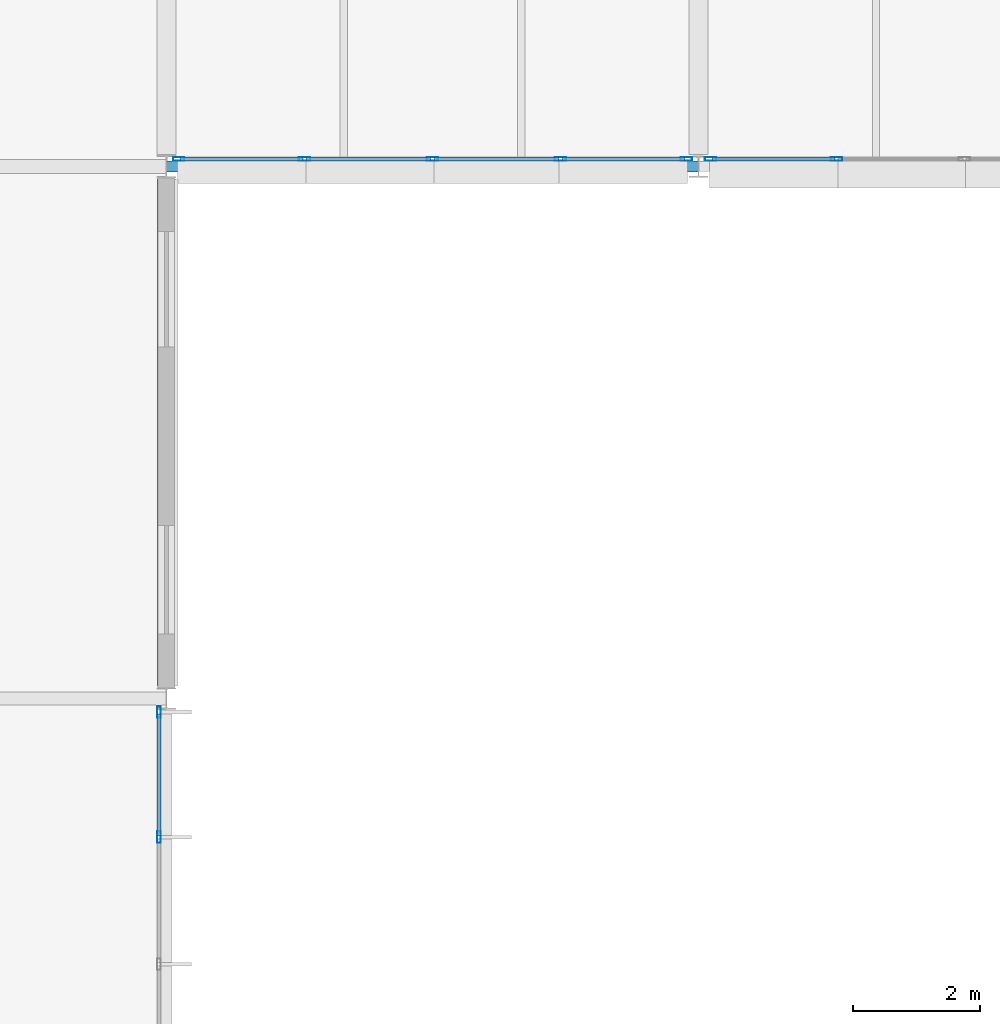
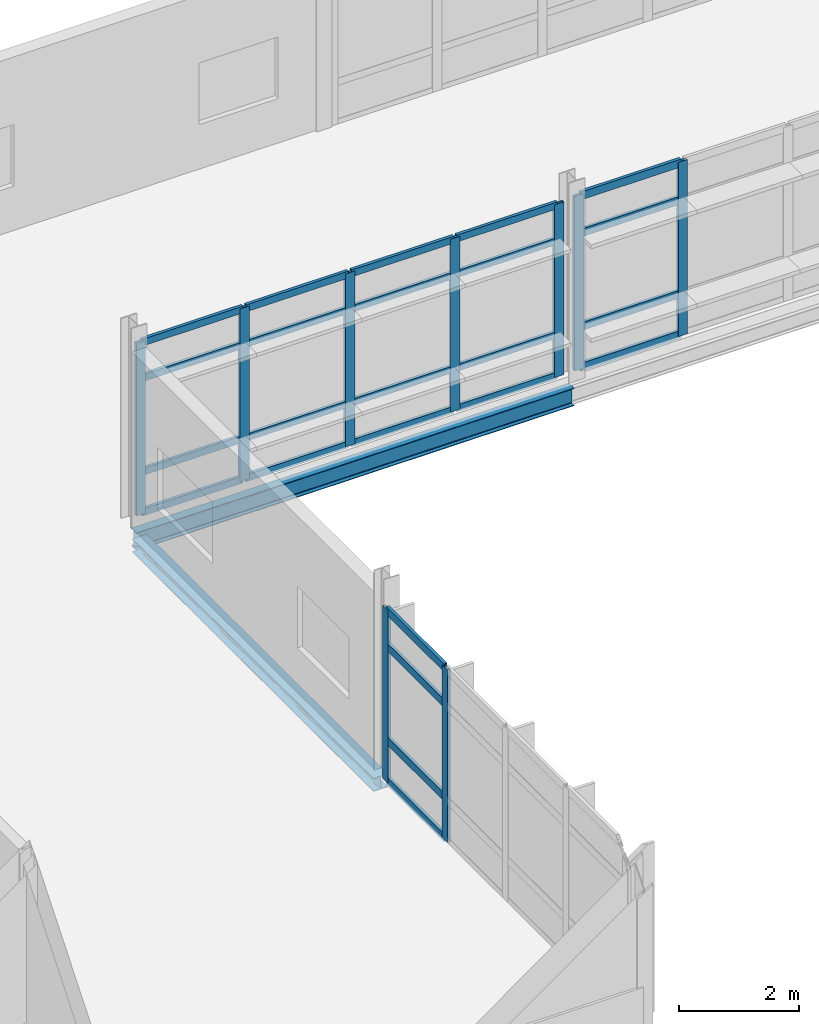
# One storey, part 37 of 131: 33 members, 2 beams, 3 elements without a shape of their own.
"""IFC4 building model written with IfcOpenShell, lengths in metres."""

from ifc_helpers import new_model, si_unit, direction, frame, origin, origin_2d, place, context, subcontext, project, spatial, hollow_rectangle, i_section, extrude, material, material_profile, profile_set, type_object, element, aggregate, save


model = new_model("IFC4")

# Units and contexts
model_context = context("Model", 3, precision=1e-05, world=origin(), true_north=direction((0.0, 1.0)))
body_context = subcontext(model_context, "Body", "Model", "MODEL_VIEW")
ifc_project = project(units=[si_unit("LENGTHUNIT", "METRE"), si_unit("AREAUNIT", "SQUARE_METRE"), si_unit("VOLUMEUNIT", "CUBIC_METRE"), si_unit("PLANEANGLEUNIT", "RADIAN"), si_unit("MASSUNIT", "GRAM", prefix="KILO")], contexts=[model_context])

# Site, building, storey
site_placement = place(None, origin())
site = spatial("IfcSite", under=ifc_project, at=site_placement, CompositionType="ELEMENT")
building_placement = place(site_placement, origin())
building = spatial("IfcBuilding", under=site, at=building_placement, Name="Mersafa Astral City Hall", CompositionType="ELEMENT")
storey_placement = place(building_placement, frame((0.0, 0.0, 13.949951171875)))
storey = spatial("IfcBuildingStorey", under=building, at=storey_placement, Name="L03", CompositionType="ELEMENT", Elevation=13.949951171875)

# Curtain wall, members
ifc_material_1 = material(Name="Anodised bronze aluminium framing", Category="aluminium")
curtain_wall_type_1 = type_object("IfcCurtainWallType", Name="ENV-CW-1", PredefinedType="USERDEFINED", material=ifc_material_1)
curtain_wall_1_placement = place(storey_placement, origin())
curtain_wall_1 = element("IfcCurtainWall", 1, at=curtain_wall_1_placement, inside=storey, type_object=curtain_wall_type_1, Name="L03 Unitised solar curtain wall 174", ObjectType="UNITISED CURTAIN WALL", PredefinedType="USERDEFINED")
ifc_material_profile_1 = material_profile(ifc_material_1, hollow_rectangle(XDim=0.06005859375, YDim=0.179931640625, WallThickness=0.00390625, at=origin_2d()), Name="RHS 60x180x4")
ifc_profile_set_1 = profile_set([ifc_material_profile_1], Name="Anodised bronze aluminium framing")
member_type_1 = type_object("IfcMemberType", Name="ENV-CW-MUL-1", PredefinedType="MULLION", material=ifc_profile_set_1)
member_1_placement = place(storey_placement, frame((25.080078125, 81.8115234375, -0.001953125), z_axis=(0.0, 0.0, 1.0), x_axis=(-1.0, 0.0, 0.0)))
member_1 = element("IfcMember", 2, at=member_1_placement, type_object=member_type_1, Name="CW-1 mullion 4", PredefinedType="MULLION", context=body_context, shape_type="SweptSolid", body=[
    extrude(hollow_rectangle(XDim=0.06005859375, YDim=0.179931640625, WallThickness=0.00390625, at=origin_2d()), origin(), (0.0, 0.0, 1.0), 3.50390625),
])
member_2_placement = place(storey_placement, frame((25.080078125, 83.7880859375, -0.001953125), z_axis=(0.0, 0.0, 1.0), x_axis=(-1.0, 0.0, 0.0)))
member_2 = element("IfcMember", 3, at=member_2_placement, type_object=member_type_1, Name="CW-1 mullion 5", PredefinedType="MULLION", context=body_context, shape_type="SweptSolid", body=[
    extrude(hollow_rectangle(XDim=0.06005859375, YDim=0.179931640625, WallThickness=0.00390625, at=origin_2d()), origin(), (0.0, 0.0, 1.0), 3.50390625),
])

curtain_wall_type_2 = type_object("IfcCurtainWallType", Name="ENV-CW-2", PredefinedType="USERDEFINED", material=ifc_material_1)
curtain_wall_2_placement = place(storey_placement, origin())
curtain_wall_2 = element("IfcCurtainWall", 4, at=curtain_wall_2_placement, inside=storey, type_object=curtain_wall_type_2, Name="L03 Unitised solar curtain wall 175", ObjectType="UNITISED CURTAIN WALL", PredefinedType="USERDEFINED")
member_3_placement = place(storey_placement, frame((25.39208984375, 92.52001953125, -0.001953125), z_axis=(0.0, 0.0, 1.0), x_axis=(0.0, 1.0, 0.0)))
member_3 = element("IfcMember", 5, at=member_3_placement, type_object=member_type_1, Name="CW-2 mullion 1", PredefinedType="MULLION", context=body_context, shape_type="SweptSolid", body=[
    extrude(hollow_rectangle(XDim=0.06005859375, YDim=0.179931640625, WallThickness=0.00390625, at=origin_2d()), origin(), (0.0, 0.0, 1.0), 3.50390625),
])
member_4_placement = place(storey_placement, frame((27.381103515625, 92.52001953125, -0.001953125), z_axis=(0.0, 0.0, 1.0), x_axis=(0.0, 1.0, 0.0)))
member_4 = element("IfcMember", 6, at=member_4_placement, type_object=member_type_1, Name="CW-2 mullion 2", PredefinedType="MULLION", context=body_context, shape_type="SweptSolid", body=[
    extrude(hollow_rectangle(XDim=0.06005859375, YDim=0.179931640625, WallThickness=0.00390625, at=origin_2d()), origin(), (0.0, 0.0, 1.0), 3.50390625),
])
member_5_placement = place(storey_placement, frame((29.39990234375, 92.52001953125, -0.001953125), z_axis=(0.0, 0.0, 1.0), x_axis=(0.0, 1.0, 0.0)))
member_5 = element("IfcMember", 7, at=member_5_placement, type_object=member_type_1, Name="CW-2 mullion 3", PredefinedType="MULLION", context=body_context, shape_type="SweptSolid", body=[
    extrude(hollow_rectangle(XDim=0.06005859375, YDim=0.179931640625, WallThickness=0.00390625, at=origin_2d()), origin(), (0.0, 0.0, 1.0), 3.50390625),
])
member_6_placement = place(storey_placement, frame((31.4189453125, 92.52001953125, -0.001953125), z_axis=(0.0, 0.0, 1.0), x_axis=(0.0, 1.0, 0.0)))
member_6 = element("IfcMember", 8, at=member_6_placement, type_object=member_type_1, Name="CW-2 mullion 4", PredefinedType="MULLION", context=body_context, shape_type="SweptSolid", body=[
    extrude(hollow_rectangle(XDim=0.06005859375, YDim=0.179931640625, WallThickness=0.00390625, at=origin_2d()), origin(), (0.0, 0.0, 1.0), 3.50390625),
])
member_7_placement = place(storey_placement, frame((33.407958984375, 92.52001953125, -0.001953125), z_axis=(0.0, 0.0, 1.0), x_axis=(0.0, 1.0, 0.0)))
member_7 = element("IfcMember", 9, at=member_7_placement, type_object=member_type_1, Name="CW-2 mullion 5", PredefinedType="MULLION", context=body_context, shape_type="SweptSolid", body=[
    extrude(hollow_rectangle(XDim=0.06005859375, YDim=0.179931640625, WallThickness=0.00390625, at=origin_2d()), origin(), (0.0, 0.0, 1.0), 3.50390625),
])

curtain_wall_type_3 = type_object("IfcCurtainWallType", Name="ENV-CW-3", PredefinedType="USERDEFINED", material=ifc_material_1)
curtain_wall_3_placement = place(storey_placement, origin())
curtain_wall_3 = element("IfcCurtainWall", 10, at=curtain_wall_3_placement, inside=storey, type_object=curtain_wall_type_3, Name="L03 Unitised solar curtain wall 176", ObjectType="UNITISED CURTAIN WALL", PredefinedType="USERDEFINED")
member_8_placement = place(storey_placement, frame((33.7919921875, 92.52001953125, -0.001953125), z_axis=(0.0, 0.0, 1.0), x_axis=(0.0, 1.0, 0.0)))
member_8 = element("IfcMember", 11, at=member_8_placement, type_object=member_type_1, Name="CW-3 mullion 1", PredefinedType="MULLION", context=body_context, shape_type="SweptSolid", body=[
    extrude(hollow_rectangle(XDim=0.06005859375, YDim=0.179931640625, WallThickness=0.00390625, at=origin_2d()), origin(), (0.0, 0.0, 1.0), 3.533935546875),
])
member_9_placement = place(storey_placement, frame((35.781005859375, 92.52001953125, -0.001953125), z_axis=(0.0, 0.0, 1.0), x_axis=(0.0, 1.0, 0.0)))
member_9 = element("IfcMember", 12, at=member_9_placement, type_object=member_type_1, Name="CW-3 mullion 2", PredefinedType="MULLION", context=body_context, shape_type="SweptSolid", body=[
    extrude(hollow_rectangle(XDim=0.06005859375, YDim=0.179931640625, WallThickness=0.00390625, at=origin_2d()), origin(), (0.0, 0.0, 1.0), 3.533935546875),
])

# Member
ifc_material_profile_2 = material_profile(ifc_material_1, hollow_rectangle(XDim=0.06005859375, YDim=0.139892578125, WallThickness=0.00390625, at=origin_2d()), Name="RHS 60x140x4")
ifc_profile_set_2 = profile_set([ifc_material_profile_2], Name="Anodised bronze aluminium framing")
member_type_2 = type_object("IfcMemberType", Name="ENV-CW-TRN-1", PredefinedType="USERDEFINED", material=ifc_profile_set_2)
member_10_placement = place(storey_placement, frame((25.422119140625, 92.52001953125, 0.028076171875), z_axis=(1.0, 0.0, 0.0), x_axis=(0.0, 1.0, 0.0)))
member_10 = element("IfcMember", 13, at=member_10_placement, type_object=member_type_2, Name="CW-2 transom 1.1", ObjectType="TRANSOM", PredefinedType="USERDEFINED", context=body_context, shape_type="SweptSolid", body=[
    extrude(hollow_rectangle(XDim=0.06005859375, YDim=0.139892578125, WallThickness=0.00390625, at=origin_2d()), origin(), (0.0, 0.0, 1.0), 1.928955078125),
])

member_11_placement = place(storey_placement, frame((25.422119140625, 92.52001953125, 0.85009765625), z_axis=(1.0, 0.0, 0.0), x_axis=(0.0, 1.0, 0.0)))
member_11 = element("IfcMember", 14, at=member_11_placement, type_object=member_type_2, Name="CW-2 transom 1.2", ObjectType="TRANSOM", PredefinedType="USERDEFINED", context=body_context, shape_type="SweptSolid", body=[
    extrude(hollow_rectangle(XDim=0.06005859375, YDim=0.139892578125, WallThickness=0.00390625, at=origin_2d()), origin(), (0.0, 0.0, 1.0), 1.928955078125),
])

member_12_placement = place(storey_placement, frame((25.422119140625, 92.52001953125, 2.75), z_axis=(1.0, 0.0, 0.0), x_axis=(0.0, 1.0, 0.0)))
member_12 = element("IfcMember", 15, at=member_12_placement, type_object=member_type_2, Name="CW-2 transom 1.3", ObjectType="TRANSOM", PredefinedType="USERDEFINED", context=body_context, shape_type="SweptSolid", body=[
    extrude(hollow_rectangle(XDim=0.06005859375, YDim=0.139892578125, WallThickness=0.00390625, at=origin_2d()), origin(), (0.0, 0.0, 1.0), 1.928955078125),
])

member_13_placement = place(storey_placement, frame((25.422119140625, 92.52001953125, 3.47216796875), z_axis=(1.0, 0.0, 0.0), x_axis=(0.0, 1.0, 0.0)))
member_13 = element("IfcMember", 16, at=member_13_placement, type_object=member_type_2, Name="CW-2 transom 1.4", ObjectType="TRANSOM", PredefinedType="USERDEFINED", context=body_context, shape_type="SweptSolid", body=[
    extrude(hollow_rectangle(XDim=0.06005859375, YDim=0.139892578125, WallThickness=0.00390625, at=origin_2d()), origin(), (0.0, 0.0, 1.0), 1.928955078125),
])

member_14_placement = place(storey_placement, frame((27.410888671875, 92.52001953125, 0.028076171875), z_axis=(1.0, 0.0, 0.0), x_axis=(0.0, 1.0, 0.0)))
member_14 = element("IfcMember", 17, at=member_14_placement, type_object=member_type_2, Name="CW-2 transom 2.1", ObjectType="TRANSOM", PredefinedType="USERDEFINED", context=body_context, shape_type="SweptSolid", body=[
    extrude(hollow_rectangle(XDim=0.06005859375, YDim=0.139892578125, WallThickness=0.00390625, at=origin_2d()), origin(), (0.0, 0.0, 1.0), 1.959228515625),
])

member_15_placement = place(storey_placement, frame((27.410888671875, 92.52001953125, 0.85009765625), z_axis=(1.0, 0.0, 0.0), x_axis=(0.0, 1.0, 0.0)))
member_15 = element("IfcMember", 18, at=member_15_placement, type_object=member_type_2, Name="CW-2 transom 2.2", ObjectType="TRANSOM", PredefinedType="USERDEFINED", context=body_context, shape_type="SweptSolid", body=[
    extrude(hollow_rectangle(XDim=0.06005859375, YDim=0.139892578125, WallThickness=0.00390625, at=origin_2d()), origin(), (0.0, 0.0, 1.0), 1.959228515625),
])

member_16_placement = place(storey_placement, frame((27.410888671875, 92.52001953125, 2.75), z_axis=(1.0, 0.0, 0.0), x_axis=(0.0, 1.0, 0.0)))
member_16 = element("IfcMember", 19, at=member_16_placement, type_object=member_type_2, Name="CW-2 transom 2.3", ObjectType="TRANSOM", PredefinedType="USERDEFINED", context=body_context, shape_type="SweptSolid", body=[
    extrude(hollow_rectangle(XDim=0.06005859375, YDim=0.139892578125, WallThickness=0.00390625, at=origin_2d()), origin(), (0.0, 0.0, 1.0), 1.959228515625),
])

member_17_placement = place(storey_placement, frame((27.410888671875, 92.52001953125, 3.47216796875), z_axis=(1.0, 0.0, 0.0), x_axis=(0.0, 1.0, 0.0)))
member_17 = element("IfcMember", 20, at=member_17_placement, type_object=member_type_2, Name="CW-2 transom 2.4", ObjectType="TRANSOM", PredefinedType="USERDEFINED", context=body_context, shape_type="SweptSolid", body=[
    extrude(hollow_rectangle(XDim=0.06005859375, YDim=0.139892578125, WallThickness=0.00390625, at=origin_2d()), origin(), (0.0, 0.0, 1.0), 1.959228515625),
])

member_18_placement = place(storey_placement, frame((29.429931640625, 92.52001953125, 0.028076171875), z_axis=(1.0, 0.0, 0.0), x_axis=(0.0, 1.0, 0.0)))
member_18 = element("IfcMember", 21, at=member_18_placement, type_object=member_type_2, Name="CW-2 transom 3.1", ObjectType="TRANSOM", PredefinedType="USERDEFINED", context=body_context, shape_type="SweptSolid", body=[
    extrude(hollow_rectangle(XDim=0.06005859375, YDim=0.139892578125, WallThickness=0.00390625, at=origin_2d()), origin(), (0.0, 0.0, 1.0), 1.958984375),
])

member_19_placement = place(storey_placement, frame((29.429931640625, 92.52001953125, 0.85009765625), z_axis=(1.0, 0.0, 0.0), x_axis=(0.0, 1.0, 0.0)))
member_19 = element("IfcMember", 22, at=member_19_placement, type_object=member_type_2, Name="CW-2 transom 3.2", ObjectType="TRANSOM", PredefinedType="USERDEFINED", context=body_context, shape_type="SweptSolid", body=[
    extrude(hollow_rectangle(XDim=0.06005859375, YDim=0.139892578125, WallThickness=0.00390625, at=origin_2d()), origin(), (0.0, 0.0, 1.0), 1.958984375),
])

member_20_placement = place(storey_placement, frame((29.429931640625, 92.52001953125, 2.75), z_axis=(1.0, 0.0, 0.0), x_axis=(0.0, 1.0, 0.0)))
member_20 = element("IfcMember", 23, at=member_20_placement, type_object=member_type_2, Name="CW-2 transom 3.3", ObjectType="TRANSOM", PredefinedType="USERDEFINED", context=body_context, shape_type="SweptSolid", body=[
    extrude(hollow_rectangle(XDim=0.06005859375, YDim=0.139892578125, WallThickness=0.00390625, at=origin_2d()), origin(), (0.0, 0.0, 1.0), 1.958984375),
])

member_21_placement = place(storey_placement, frame((29.429931640625, 92.52001953125, 3.47216796875), z_axis=(1.0, 0.0, 0.0), x_axis=(0.0, 1.0, 0.0)))
member_21 = element("IfcMember", 24, at=member_21_placement, type_object=member_type_2, Name="CW-2 transom 3.4", ObjectType="TRANSOM", PredefinedType="USERDEFINED", context=body_context, shape_type="SweptSolid", body=[
    extrude(hollow_rectangle(XDim=0.06005859375, YDim=0.139892578125, WallThickness=0.00390625, at=origin_2d()), origin(), (0.0, 0.0, 1.0), 1.958984375),
])

member_22_placement = place(storey_placement, frame((31.448974609375, 92.52001953125, 0.028076171875), z_axis=(1.0, 0.0, 0.0), x_axis=(0.0, 1.0, 0.0)))
member_22 = element("IfcMember", 25, at=member_22_placement, type_object=member_type_2, Name="CW-2 transom 4.1", ObjectType="TRANSOM", PredefinedType="USERDEFINED", context=body_context, shape_type="SweptSolid", body=[
    extrude(hollow_rectangle(XDim=0.06005859375, YDim=0.139892578125, WallThickness=0.00390625, at=origin_2d()), origin(), (0.0, 0.0, 1.0), 1.928955078125),
])

member_23_placement = place(storey_placement, frame((31.448974609375, 92.52001953125, 0.85009765625), z_axis=(1.0, 0.0, 0.0), x_axis=(0.0, 1.0, 0.0)))
member_23 = element("IfcMember", 26, at=member_23_placement, type_object=member_type_2, Name="CW-2 transom 4.2", ObjectType="TRANSOM", PredefinedType="USERDEFINED", context=body_context, shape_type="SweptSolid", body=[
    extrude(hollow_rectangle(XDim=0.06005859375, YDim=0.139892578125, WallThickness=0.00390625, at=origin_2d()), origin(), (0.0, 0.0, 1.0), 1.928955078125),
])

member_24_placement = place(storey_placement, frame((31.448974609375, 92.52001953125, 2.75), z_axis=(1.0, 0.0, 0.0), x_axis=(0.0, 1.0, 0.0)))
member_24 = element("IfcMember", 27, at=member_24_placement, type_object=member_type_2, Name="CW-2 transom 4.3", ObjectType="TRANSOM", PredefinedType="USERDEFINED", context=body_context, shape_type="SweptSolid", body=[
    extrude(hollow_rectangle(XDim=0.06005859375, YDim=0.139892578125, WallThickness=0.00390625, at=origin_2d()), origin(), (0.0, 0.0, 1.0), 1.928955078125),
])

member_25_placement = place(storey_placement, frame((31.448974609375, 92.52001953125, 3.47216796875), z_axis=(1.0, 0.0, 0.0), x_axis=(0.0, 1.0, 0.0)))
member_25 = element("IfcMember", 28, at=member_25_placement, type_object=member_type_2, Name="CW-2 transom 4.4", ObjectType="TRANSOM", PredefinedType="USERDEFINED", context=body_context, shape_type="SweptSolid", body=[
    extrude(hollow_rectangle(XDim=0.06005859375, YDim=0.139892578125, WallThickness=0.00390625, at=origin_2d()), origin(), (0.0, 0.0, 1.0), 1.928955078125),
])

aggregate(curtain_wall_2, [member_3, member_4, member_5, member_6, member_7, member_10, member_11, member_12, member_13, member_14, member_15, member_16, member_17, member_18, member_19, member_20, member_21, member_22, member_23, member_24, member_25])

ifc_material_profile_3 = material_profile(ifc_material_1, hollow_rectangle(XDim=0.06005859375, YDim=0.159912109375, WallThickness=0.00390625, at=origin_2d()), Name="RHS 60x160x4")
ifc_profile_set_3 = profile_set([ifc_material_profile_3], Name="Anodised bronze aluminium framing")
member_type_3 = type_object("IfcMemberType", Name="ENV-CW-TRN-2", PredefinedType="USERDEFINED", material=ifc_profile_set_3)
member_26_placement = place(storey_placement, frame((25.080078125, 81.841552734375, 0.028076171875), z_axis=(0.0, 1.0, 0.0), x_axis=(-1.0, 0.0, 0.0)))
member_26 = element("IfcMember", 29, at=member_26_placement, type_object=member_type_3, Name="CW-1 transom 4.1", ObjectType="TRANSOM", PredefinedType="USERDEFINED", context=body_context, shape_type="SweptSolid", body=[
    extrude(hollow_rectangle(XDim=0.06005859375, YDim=0.159912109375, WallThickness=0.00390625, at=origin_2d()), origin(), (0.0, 0.0, 1.0), 1.91650390625),
])

member_27_placement = place(storey_placement, frame((25.080078125, 81.841552734375, 0.85009765625), z_axis=(0.0, 1.0, 0.0), x_axis=(-1.0, 0.0, 0.0)))
member_27 = element("IfcMember", 30, at=member_27_placement, type_object=member_type_3, Name="CW-1 transom 4.2", ObjectType="TRANSOM", PredefinedType="USERDEFINED", context=body_context, shape_type="SweptSolid", body=[
    extrude(hollow_rectangle(XDim=0.06005859375, YDim=0.159912109375, WallThickness=0.00390625, at=origin_2d()), origin(), (0.0, 0.0, 1.0), 1.91650390625),
])

member_28_placement = place(storey_placement, frame((25.080078125, 81.841552734375, 2.75), z_axis=(0.0, 1.0, 0.0), x_axis=(-1.0, 0.0, 0.0)))
member_28 = element("IfcMember", 31, at=member_28_placement, type_object=member_type_3, Name="CW-1 transom 4.3", ObjectType="TRANSOM", PredefinedType="USERDEFINED", context=body_context, shape_type="SweptSolid", body=[
    extrude(hollow_rectangle(XDim=0.06005859375, YDim=0.159912109375, WallThickness=0.00390625, at=origin_2d()), origin(), (0.0, 0.0, 1.0), 1.91650390625),
])

member_29_placement = place(storey_placement, frame((25.080078125, 81.841552734375, 3.47216796875), z_axis=(0.0, 1.0, 0.0), x_axis=(-1.0, 0.0, 0.0)))
member_29 = element("IfcMember", 32, at=member_29_placement, type_object=member_type_3, Name="CW-1 transom 4.4", ObjectType="TRANSOM", PredefinedType="USERDEFINED", context=body_context, shape_type="SweptSolid", body=[
    extrude(hollow_rectangle(XDim=0.06005859375, YDim=0.159912109375, WallThickness=0.00390625, at=origin_2d()), origin(), (0.0, 0.0, 1.0), 1.91650390625),
])

aggregate(curtain_wall_1, [member_1, member_2, member_26, member_27, member_28, member_29])

member_30_placement = place(storey_placement, frame((33.822021484375, 92.52001953125, 0.028076171875), z_axis=(1.0, 0.0, 0.0), x_axis=(0.0, 1.0, 0.0)))
member_30 = element("IfcMember", 33, at=member_30_placement, type_object=member_type_3, Name="CW-3 transom 1.1", ObjectType="TRANSOM", PredefinedType="USERDEFINED", context=body_context, shape_type="SweptSolid", body=[
    extrude(hollow_rectangle(XDim=0.06005859375, YDim=0.159912109375, WallThickness=0.00390625, at=origin_2d()), origin(), (0.0, 0.0, 1.0), 1.928955078125),
])

member_31_placement = place(storey_placement, frame((33.822021484375, 92.52001953125, 0.85009765625), z_axis=(1.0, 0.0, 0.0), x_axis=(0.0, 1.0, 0.0)))
member_31 = element("IfcMember", 34, at=member_31_placement, type_object=member_type_3, Name="CW-3 transom 1.2", ObjectType="TRANSOM", PredefinedType="USERDEFINED", context=body_context, shape_type="SweptSolid", body=[
    extrude(hollow_rectangle(XDim=0.06005859375, YDim=0.159912109375, WallThickness=0.00390625, at=origin_2d()), origin(), (0.0, 0.0, 1.0), 1.928955078125),
])

member_32_placement = place(storey_placement, frame((33.822021484375, 92.52001953125, 2.75), z_axis=(1.0, 0.0, 0.0), x_axis=(0.0, 1.0, 0.0)))
member_32 = element("IfcMember", 35, at=member_32_placement, type_object=member_type_3, Name="CW-3 transom 1.3", ObjectType="TRANSOM", PredefinedType="USERDEFINED", context=body_context, shape_type="SweptSolid", body=[
    extrude(hollow_rectangle(XDim=0.06005859375, YDim=0.159912109375, WallThickness=0.00390625, at=origin_2d()), origin(), (0.0, 0.0, 1.0), 1.928955078125),
])

member_33_placement = place(storey_placement, frame((33.822021484375, 92.52001953125, 3.501953125), z_axis=(1.0, 0.0, 0.0), x_axis=(0.0, 1.0, 0.0)))
member_33 = element("IfcMember", 36, at=member_33_placement, type_object=member_type_3, Name="CW-3 transom 1.4", ObjectType="TRANSOM", PredefinedType="USERDEFINED", context=body_context, shape_type="SweptSolid", body=[
    extrude(hollow_rectangle(XDim=0.06005859375, YDim=0.159912109375, WallThickness=0.00390625, at=origin_2d()), origin(), (0.0, 0.0, 1.0), 1.928955078125),
])

aggregate(curtain_wall_3, [member_8, member_9, member_30, member_31, member_32, member_33])

# Beams
ifc_material_2 = material(Name="Steel S355", Category="steel")
ifc_material_profile_4 = material_profile(ifc_material_2, i_section(OverallWidth=0.280029296875, OverallDepth=0.27001953125, WebThickness=0.008056640625, FlangeThickness=0.012939453125, FilletRadius=0.02392578125, at=origin_2d()), Name="HEA 280")
ifc_profile_set_4 = profile_set([ifc_material_profile_4], Name="Steel S355")
beam_type_1 = type_object("IfcBeamType", Name="STR-BM-SPANDREL-HEA280", PredefinedType="SPANDREL", material=ifc_profile_set_4)
beam_1_placement = place(storey_placement, frame((25.199951171875, 84.195068359375, -0.3349609375), z_axis=(0.0, 1.0, 0.0), x_axis=(-1.0, 0.0, 0.0)))
element("IfcBeam", 37, at=beam_1_placement, inside=storey, type_object=beam_type_1, Name="L03 Primary girder Y 3-10", PredefinedType="SPANDREL", context=body_context, shape_type="SweptSolid", body=[
    extrude(i_section(OverallWidth=0.280029296875, OverallDepth=0.27001953125, WebThickness=0.008056640625, FlangeThickness=0.012939453125, FilletRadius=0.02392578125, at=origin_2d()), origin(), (0.0, 0.0, 1.0), 8.010009765625),
])
ifc_material_profile_5 = material_profile(ifc_material_2, i_section(OverallWidth=0.169921875, OverallDepth=0.360107421875, WebThickness=0.008056640625, FlangeThickness=0.0126953125, FilletRadius=0.01806640625, at=origin_2d()), Name="IPE 360")
ifc_profile_set_5 = profile_set([ifc_material_profile_5], Name="Steel S355")
beam_type_2 = type_object("IfcBeamType", Name="STR-BM-SPANDREL-IPE360", PredefinedType="SPANDREL", material=ifc_profile_set_5)
beam_2_placement = place(storey_placement, frame((25.202880859375, 92.39990234375, -0.3798828125), z_axis=(1.0, 0.0, 0.0), x_axis=(0.0, 1.0, 0.0)))
element("IfcBeam", 38, at=beam_2_placement, inside=storey, type_object=beam_type_2, Name="L03 Primary girder X 3-11", PredefinedType="SPANDREL", context=body_context, shape_type="SweptSolid", body=[
    extrude(i_section(OverallWidth=0.169921875, OverallDepth=0.360107421875, WebThickness=0.008056640625, FlangeThickness=0.0126953125, FilletRadius=0.01806640625, at=origin_2d()), origin(), (0.0, 0.0, 1.0), 8.39404296875),
])

save(model, "model.ifc")
